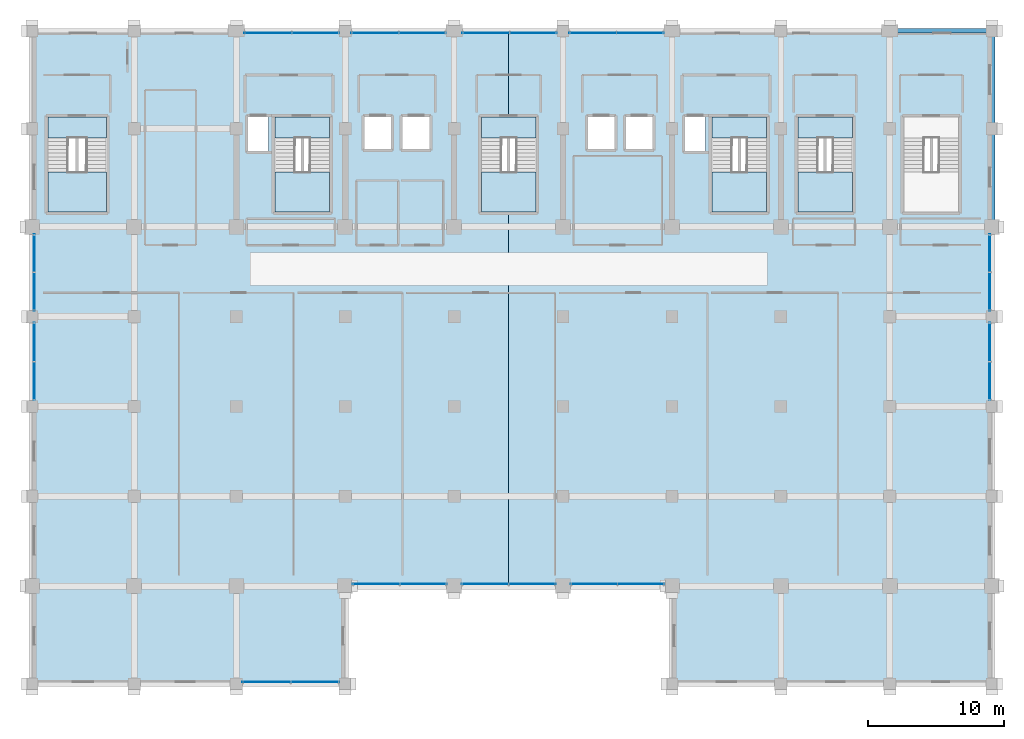
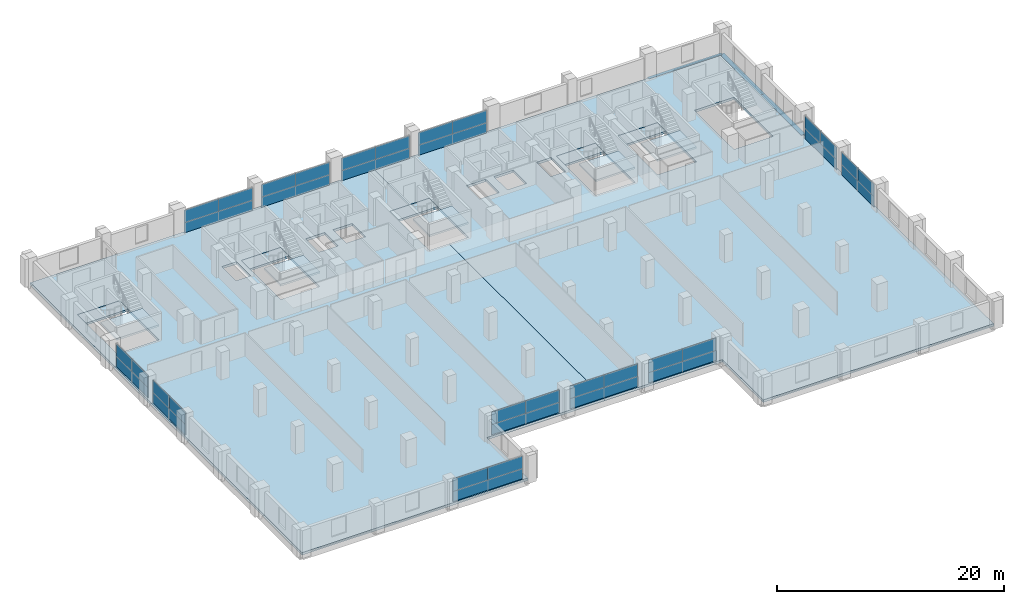
# One storey, part 15 of 21: 36 plates, 12 slabs, 3 beams, 17 elements without a shape of their own.
"""IFC4 building model written with IfcOpenShell, lengths in metres."""

from ifc_helpers import new_model, si_unit, direction, frame, origin, origin_2d, place, context, subcontext, project, spatial, polyline, rectangle, outline, extrude, material, layer, layer_set, material_profile, profile_set, type_object, element, aggregate, save


model = new_model("IFC4")

# Units and contexts
model_context = context("Model", 3, precision=1e-05, world=origin(), true_north=direction((0.0, 1.0)))
body_context = subcontext(model_context, "Body", "Model", "MODEL_VIEW")
ifc_project = project(units=[si_unit("LENGTHUNIT", "METRE"), si_unit("AREAUNIT", "SQUARE_METRE"), si_unit("VOLUMEUNIT", "CUBIC_METRE"), si_unit("PLANEANGLEUNIT", "RADIAN"), si_unit("MASSUNIT", "GRAM", prefix="KILO")], contexts=[model_context])

# Site, building, storey
site_placement = place(None, origin())
site = spatial("IfcSite", under=ifc_project, at=site_placement, CompositionType="ELEMENT")
building_placement = place(site_placement, origin())
building = spatial("IfcBuilding", under=site, at=building_placement, Name="Akrevak Sports Hall", CompositionType="ELEMENT")
storey_placement = place(building_placement, frame((0.0, 0.0, 27.550048828125)))
storey = spatial("IfcBuildingStorey", under=building, at=storey_placement, Name="L05", CompositionType="ELEMENT", Elevation=27.550048828125)

# Beams
ifc_material_1 = material(Name="Concrete C40/50", Category="concrete")
ifc_material_profile_1 = material_profile(ifc_material_1, rectangle(XDim=0.449951171875, YDim=0.699951171875, at=origin_2d()), Name="BM 450x700", Category="concrete")
ifc_profile_set_1 = profile_set([ifc_material_profile_1], Name="Concrete C40/50")
beam_type_1 = type_object("IfcBeamType", Name="STR-BM-RC450x700", PredefinedType="BEAM", material=ifc_profile_set_1)
beam_1_placement = place(storey_placement, frame((115.5, 55.199951171875, -0.35009765625), z_axis=(0.0, 1.0, 0.0), x_axis=(-1.0, 0.0, 0.0)))
element("IfcBeam", 1, at=beam_1_placement, inside=storey, type_object=beam_type_1, Name="Girder 16/I-J (L05)", PredefinedType="BEAM", context=body_context, shape_type="SweptSolid", body=[
    extrude(rectangle(XDim=0.449951171875, YDim=0.699951171875, at=origin_2d()), origin(), (0.0, 0.0, 1.0), 7.199951171875),
])
beam_2_placement = place(storey_placement, frame((115.5, 62.39990234375, -0.35009765625), z_axis=(0.0, 1.0, 0.0), x_axis=(-1.0, 0.0, 0.0)))
element("IfcBeam", 2, at=beam_2_placement, inside=storey, type_object=beam_type_1, Name="Girder 16/J-K (L05)", PredefinedType="BEAM", context=body_context, shape_type="SweptSolid", body=[
    extrude(rectangle(XDim=0.449951171875, YDim=0.699951171875, at=origin_2d()), origin(), (0.0, 0.0, 1.0), 7.2001953125),
])
ifc_material_profile_2 = material_profile(ifc_material_1, rectangle(XDim=0.320068359375, YDim=0.679931640625, at=origin_2d()), Name="SPD 320x680", Category="concrete")
ifc_profile_set_2 = profile_set([ifc_material_profile_2], Name="Concrete C40/50")
beam_type_2 = type_object("IfcBeamType", Name="STR-SPD-RC320x680", PredefinedType="SPANDREL", material=ifc_profile_set_2)
beam_3_placement = place(storey_placement, frame((108.0, 69.60009765625, -0.340087890625), z_axis=(1.0, 0.0, 0.0), x_axis=(0.0, 1.0, 0.0)))
element("IfcBeam", 3, at=beam_3_placement, inside=storey, type_object=beam_type_2, Name="Girder K/15-16 (L05)", PredefinedType="SPANDREL", context=body_context, shape_type="SweptSolid", body=[
    extrude(rectangle(XDim=0.320068359375, YDim=0.679931640625, at=origin_2d()), origin(), (0.0, 0.0, 1.0), 7.5),
])

# Curtain wall, plates
ifc_material_2 = material(Name="Anodized Bronze Aluminium & Low-E Glass", Category="aluminium")
curtain_wall_type = type_object("IfcCurtainWallType", Name="ARC-CW-TWR-68x30", PredefinedType="NOTDEFINED", material=ifc_material_2)
curtain_wall_1_placement = place(storey_placement, origin())
curtain_wall_1 = element("IfcCurtainWall", 4, at=curtain_wall_1_placement, inside=storey, type_object=curtain_wall_type, Name="Curtain Wall CW-L05-S03", PredefinedType="NOTDEFINED")
ifc_material_3 = material(Name="Double Low-E Tempered Glass", Category="glass")
ifc_layer_1 = layer(ifc_material_3, 0.031982421875, Name="Double Low-E Tempered Glass")
ifc_layer_set_1 = layer_set([ifc_layer_1], Name="Double Low-E Tempered Glass")
plate_type_1 = type_object("IfcPlateType", Name="ARC-CWP-GLZ-32", PredefinedType="CURTAIN_PANEL", material=ifc_layer_set_1)
plate_1_placement = place(storey_placement, frame((62.22509765625, 21.760009765625, 1.099853515625), z_axis=(0.0, 0.0, 1.0), x_axis=(1.0, 0.0, 0.0)))
plate_1 = element("IfcPlate", 5, at=plate_1_placement, type_object=plate_type_1, Name="Vision Glass Panel CW-L05-S03-G1", PredefinedType="CURTAIN_PANEL", context=body_context, shape_type="SweptSolid", body=[
    extrude(rectangle(XDim=3.550048828125, YDim=0.035888671875, at=origin_2d()), origin(), (0.0, 0.0, 1.0), 1.35009765625),
])
plate_2_placement = place(storey_placement, frame((65.77490234375, 21.760009765625, 1.099853515625), z_axis=(0.0, 0.0, 1.0), x_axis=(1.0, 0.0, 0.0)))
plate_2 = element("IfcPlate", 6, at=plate_2_placement, type_object=plate_type_1, Name="Vision Glass Panel CW-L05-S03-G2", PredefinedType="CURTAIN_PANEL", context=body_context, shape_type="SweptSolid", body=[
    extrude(rectangle(XDim=3.550048828125, YDim=0.035888671875, at=origin_2d()), origin(), (0.0, 0.0, 1.0), 1.35009765625),
])

curtain_wall_2_placement = place(storey_placement, origin())
curtain_wall_2 = element("IfcCurtainWall", 7, at=curtain_wall_2_placement, inside=storey, type_object=curtain_wall_type, Name="Curtain Wall CW-L05-S05", PredefinedType="NOTDEFINED")
plate_3_placement = place(storey_placement, frame((70.27490234375, 28.9599609375, 1.099853515625), z_axis=(0.0, 0.0, 1.0), x_axis=(1.0, 0.0, 0.0)))
plate_3 = element("IfcPlate", 8, at=plate_3_placement, type_object=plate_type_1, Name="Vision Glass Panel CW-L05-S05-G1", PredefinedType="CURTAIN_PANEL", context=body_context, shape_type="SweptSolid", body=[
    extrude(rectangle(XDim=3.449951171875, YDim=0.035888671875, at=origin_2d()), origin(), (0.0, 0.0, 1.0), 1.35009765625),
])
plate_4_placement = place(storey_placement, frame((73.72509765625, 28.9599609375, 1.099853515625), z_axis=(0.0, 0.0, 1.0), x_axis=(1.0, 0.0, 0.0)))
plate_4 = element("IfcPlate", 9, at=plate_4_placement, type_object=plate_type_1, Name="Vision Glass Panel CW-L05-S05-G2", PredefinedType="CURTAIN_PANEL", context=body_context, shape_type="SweptSolid", body=[
    extrude(rectangle(XDim=3.449951171875, YDim=0.035888671875, at=origin_2d()), origin(), (0.0, 0.0, 1.0), 1.35009765625),
])

curtain_wall_3_placement = place(storey_placement, origin())
curtain_wall_3 = element("IfcCurtainWall", 10, at=curtain_wall_3_placement, inside=storey, type_object=curtain_wall_type, Name="Curtain Wall CW-L05-S06", PredefinedType="NOTDEFINED")
plate_5_placement = place(storey_placement, frame((78.27490234375, 28.9599609375, 1.099853515625), z_axis=(0.0, 0.0, 1.0), x_axis=(1.0, 0.0, 0.0)))
plate_5 = element("IfcPlate", 11, at=plate_5_placement, type_object=plate_type_1, Name="Vision Glass Panel CW-L05-S06-G1", PredefinedType="CURTAIN_PANEL", context=body_context, shape_type="SweptSolid", body=[
    extrude(rectangle(XDim=3.449951171875, YDim=0.035888671875, at=origin_2d()), origin(), (0.0, 0.0, 1.0), 1.35009765625),
])
plate_6_placement = place(storey_placement, frame((81.72509765625, 28.9599609375, 1.099853515625), z_axis=(0.0, 0.0, 1.0), x_axis=(1.0, 0.0, 0.0)))
plate_6 = element("IfcPlate", 12, at=plate_6_placement, type_object=plate_type_1, Name="Vision Glass Panel CW-L05-S06-G2", PredefinedType="CURTAIN_PANEL", context=body_context, shape_type="SweptSolid", body=[
    extrude(rectangle(XDim=3.449951171875, YDim=0.035888671875, at=origin_2d()), origin(), (0.0, 0.0, 1.0), 1.35009765625),
])

curtain_wall_4_placement = place(storey_placement, origin())
curtain_wall_4 = element("IfcCurtainWall", 13, at=curtain_wall_4_placement, inside=storey, type_object=curtain_wall_type, Name="Curtain Wall CW-L05-S07", PredefinedType="NOTDEFINED")
plate_7_placement = place(storey_placement, frame((86.27490234375, 28.9599609375, 1.099853515625), z_axis=(0.0, 0.0, 1.0), x_axis=(1.0, 0.0, 0.0)))
plate_7 = element("IfcPlate", 14, at=plate_7_placement, type_object=plate_type_1, Name="Vision Glass Panel CW-L05-S07-G1", PredefinedType="CURTAIN_PANEL", context=body_context, shape_type="SweptSolid", body=[
    extrude(rectangle(XDim=3.449951171875, YDim=0.035888671875, at=origin_2d()), origin(), (0.0, 0.0, 1.0), 1.35009765625),
])
plate_8_placement = place(storey_placement, frame((89.72509765625, 28.9599609375, 1.099853515625), z_axis=(0.0, 0.0, 1.0), x_axis=(1.0, 0.0, 0.0)))
plate_8 = element("IfcPlate", 15, at=plate_8_placement, type_object=plate_type_1, Name="Vision Glass Panel CW-L05-S07-G2", PredefinedType="CURTAIN_PANEL", context=body_context, shape_type="SweptSolid", body=[
    extrude(rectangle(XDim=3.449951171875, YDim=0.035888671875, at=origin_2d()), origin(), (0.0, 0.0, 1.0), 1.35009765625),
])

curtain_wall_5_placement = place(storey_placement, origin())
curtain_wall_5 = element("IfcCurtainWall", 16, at=curtain_wall_5_placement, inside=storey, type_object=curtain_wall_type, Name="Curtain Wall CW-L05-E15", PredefinedType="NOTDEFINED")
plate_9_placement = place(storey_placement, frame((115.340087890625, 43.875, 1.099853515625), z_axis=(0.0, 0.0, 1.0), x_axis=(0.0, 1.0, 0.0)))
plate_9 = element("IfcPlate", 17, at=plate_9_placement, type_object=plate_type_1, Name="Vision Glass Panel CW-L05-E15-G1", PredefinedType="CURTAIN_PANEL", context=body_context, shape_type="SweptSolid", body=[
    extrude(rectangle(XDim=2.85009765625, YDim=0.035888671875, at=origin_2d()), origin(), (0.0, 0.0, 1.0), 1.35009765625),
])
plate_10_placement = place(storey_placement, frame((115.340087890625, 46.72509765625, 1.099853515625), z_axis=(0.0, 0.0, 1.0), x_axis=(0.0, 1.0, 0.0)))
plate_10 = element("IfcPlate", 18, at=plate_10_placement, type_object=plate_type_1, Name="Vision Glass Panel CW-L05-E15-G2", PredefinedType="CURTAIN_PANEL", context=body_context, shape_type="SweptSolid", body=[
    extrude(rectangle(XDim=2.85009765625, YDim=0.035888671875, at=origin_2d()), origin(), (0.0, 0.0, 1.0), 1.35009765625),
])

curtain_wall_6_placement = place(storey_placement, origin())
curtain_wall_6 = element("IfcCurtainWall", 19, at=curtain_wall_6_placement, inside=storey, type_object=curtain_wall_type, Name="Curtain Wall CW-L05-E16", PredefinedType="NOTDEFINED")
plate_11_placement = place(storey_placement, frame((115.340087890625, 50.449951171875, 1.099853515625), z_axis=(0.0, 0.0, 1.0), x_axis=(0.0, 1.0, 0.0)))
plate_11 = element("IfcPlate", 20, at=plate_11_placement, type_object=plate_type_1, Name="Vision Glass Panel CW-L05-E16-G1", PredefinedType="CURTAIN_PANEL", context=body_context, shape_type="SweptSolid", body=[
    extrude(rectangle(XDim=2.800048828125, YDim=0.035888671875, at=origin_2d()), origin(), (0.0, 0.0, 1.0), 1.35009765625),
])
plate_12_placement = place(storey_placement, frame((115.340087890625, 53.25, 1.099853515625), z_axis=(0.0, 0.0, 1.0), x_axis=(0.0, 1.0, 0.0)))
plate_12 = element("IfcPlate", 21, at=plate_12_placement, type_object=plate_type_1, Name="Vision Glass Panel CW-L05-E16-G2", PredefinedType="CURTAIN_PANEL", context=body_context, shape_type="SweptSolid", body=[
    extrude(rectangle(XDim=2.800048828125, YDim=0.035888671875, at=origin_2d()), origin(), (0.0, 0.0, 1.0), 1.35009765625),
])

curtain_wall_7_placement = place(storey_placement, origin())
curtain_wall_7 = element("IfcCurtainWall", 22, at=curtain_wall_7_placement, inside=storey, type_object=curtain_wall_type, Name="Curtain Wall CW-L05-N22", PredefinedType="NOTDEFINED")
plate_13_placement = place(storey_placement, frame((89.66259765625, 69.43994140625, 1.099853515625), z_axis=(0.0, 0.0, 1.0), x_axis=(-1.0, 0.0, 0.0)))
plate_13 = element("IfcPlate", 23, at=plate_13_placement, type_object=plate_type_1, Name="Vision Glass Panel CW-L05-N22-G1", PredefinedType="CURTAIN_PANEL", context=body_context, shape_type="SweptSolid", body=[
    extrude(rectangle(XDim=3.47509765625, YDim=0.035888671875, at=origin_2d()), origin(), (0.0, 0.0, 1.0), 1.35009765625),
])
plate_14_placement = place(storey_placement, frame((86.1875, 69.43994140625, 1.099853515625), z_axis=(0.0, 0.0, 1.0), x_axis=(-1.0, 0.0, 0.0)))
plate_14 = element("IfcPlate", 24, at=plate_14_placement, type_object=plate_type_1, Name="Vision Glass Panel CW-L05-N22-G2", PredefinedType="CURTAIN_PANEL", context=body_context, shape_type="SweptSolid", body=[
    extrude(rectangle(XDim=3.47509765625, YDim=0.035888671875, at=origin_2d()), origin(), (0.0, 0.0, 1.0), 1.35009765625),
])

curtain_wall_8_placement = place(storey_placement, origin())
curtain_wall_8 = element("IfcCurtainWall", 25, at=curtain_wall_8_placement, inside=storey, type_object=curtain_wall_type, Name="Curtain Wall CW-L05-N23", PredefinedType="NOTDEFINED")
plate_15_placement = place(storey_placement, frame((81.8125, 69.43994140625, 1.099853515625), z_axis=(0.0, 0.0, 1.0), x_axis=(-1.0, 0.0, 0.0)))
plate_15 = element("IfcPlate", 26, at=plate_15_placement, type_object=plate_type_1, Name="Vision Glass Panel CW-L05-N23-G1", PredefinedType="CURTAIN_PANEL", context=body_context, shape_type="SweptSolid", body=[
    extrude(rectangle(XDim=3.47509765625, YDim=0.035888671875, at=origin_2d()), origin(), (0.0, 0.0, 1.0), 1.35009765625),
])
plate_16_placement = place(storey_placement, frame((78.33740234375, 69.43994140625, 1.099853515625), z_axis=(0.0, 0.0, 1.0), x_axis=(-1.0, 0.0, 0.0)))
plate_16 = element("IfcPlate", 27, at=plate_16_placement, type_object=plate_type_1, Name="Vision Glass Panel CW-L05-N23-G2", PredefinedType="CURTAIN_PANEL", context=body_context, shape_type="SweptSolid", body=[
    extrude(rectangle(XDim=3.47509765625, YDim=0.035888671875, at=origin_2d()), origin(), (0.0, 0.0, 1.0), 1.35009765625),
])

curtain_wall_9_placement = place(storey_placement, origin())
curtain_wall_9 = element("IfcCurtainWall", 28, at=curtain_wall_9_placement, inside=storey, type_object=curtain_wall_type, Name="Curtain Wall CW-L05-N24", PredefinedType="NOTDEFINED")
plate_17_placement = place(storey_placement, frame((73.66259765625, 69.43994140625, 1.099853515625), z_axis=(0.0, 0.0, 1.0), x_axis=(-1.0, 0.0, 0.0)))
plate_17 = element("IfcPlate", 29, at=plate_17_placement, type_object=plate_type_1, Name="Vision Glass Panel CW-L05-N24-G1", PredefinedType="CURTAIN_PANEL", context=body_context, shape_type="SweptSolid", body=[
    extrude(rectangle(XDim=3.47509765625, YDim=0.035888671875, at=origin_2d()), origin(), (0.0, 0.0, 1.0), 1.35009765625),
])
plate_18_placement = place(storey_placement, frame((70.1875, 69.43994140625, 1.099853515625), z_axis=(0.0, 0.0, 1.0), x_axis=(-1.0, 0.0, 0.0)))
plate_18 = element("IfcPlate", 30, at=plate_18_placement, type_object=plate_type_1, Name="Vision Glass Panel CW-L05-N24-G2", PredefinedType="CURTAIN_PANEL", context=body_context, shape_type="SweptSolid", body=[
    extrude(rectangle(XDim=3.47509765625, YDim=0.035888671875, at=origin_2d()), origin(), (0.0, 0.0, 1.0), 1.35009765625),
])

curtain_wall_10_placement = place(storey_placement, origin())
curtain_wall_10 = element("IfcCurtainWall", 31, at=curtain_wall_10_placement, inside=storey, type_object=curtain_wall_type, Name="Curtain Wall CW-L05-N25", PredefinedType="NOTDEFINED")
plate_19_placement = place(storey_placement, frame((65.8125, 69.43994140625, 1.099853515625), z_axis=(0.0, 0.0, 1.0), x_axis=(-1.0, 0.0, 0.0)))
plate_19 = element("IfcPlate", 32, at=plate_19_placement, type_object=plate_type_1, Name="Vision Glass Panel CW-L05-N25-G1", PredefinedType="CURTAIN_PANEL", context=body_context, shape_type="SweptSolid", body=[
    extrude(rectangle(XDim=3.47509765625, YDim=0.035888671875, at=origin_2d()), origin(), (0.0, 0.0, 1.0), 1.35009765625),
])
plate_20_placement = place(storey_placement, frame((62.33740234375, 69.43994140625, 1.099853515625), z_axis=(0.0, 0.0, 1.0), x_axis=(-1.0, 0.0, 0.0)))
plate_20 = element("IfcPlate", 33, at=plate_20_placement, type_object=plate_type_1, Name="Vision Glass Panel CW-L05-N25-G2", PredefinedType="CURTAIN_PANEL", context=body_context, shape_type="SweptSolid", body=[
    extrude(rectangle(XDim=3.47509765625, YDim=0.035888671875, at=origin_2d()), origin(), (0.0, 0.0, 1.0), 1.35009765625),
])

curtain_wall_11_placement = place(storey_placement, origin())
curtain_wall_11 = element("IfcCurtainWall", 34, at=curtain_wall_11_placement, inside=storey, type_object=curtain_wall_type, Name="Curtain Wall CW-L05-W30", PredefinedType="NOTDEFINED")
plate_21_placement = place(storey_placement, frame((45.159912109375, 53.25, 1.099853515625), z_axis=(0.0, 0.0, 1.0), x_axis=(0.0, -1.0, 0.0)))
plate_21 = element("IfcPlate", 35, at=plate_21_placement, type_object=plate_type_1, Name="Vision Glass Panel CW-L05-W30-G1", PredefinedType="CURTAIN_PANEL", context=body_context, shape_type="SweptSolid", body=[
    extrude(rectangle(XDim=2.800048828125, YDim=0.035888671875, at=origin_2d()), origin(), (0.0, 0.0, 1.0), 1.35009765625),
])
plate_22_placement = place(storey_placement, frame((45.159912109375, 50.449951171875, 1.099853515625), z_axis=(0.0, 0.0, 1.0), x_axis=(0.0, -1.0, 0.0)))
plate_22 = element("IfcPlate", 36, at=plate_22_placement, type_object=plate_type_1, Name="Vision Glass Panel CW-L05-W30-G2", PredefinedType="CURTAIN_PANEL", context=body_context, shape_type="SweptSolid", body=[
    extrude(rectangle(XDim=2.800048828125, YDim=0.035888671875, at=origin_2d()), origin(), (0.0, 0.0, 1.0), 1.35009765625),
])

curtain_wall_12_placement = place(storey_placement, origin())
curtain_wall_12 = element("IfcCurtainWall", 37, at=curtain_wall_12_placement, inside=storey, type_object=curtain_wall_type, Name="Curtain Wall CW-L05-W31", PredefinedType="NOTDEFINED")
plate_23_placement = place(storey_placement, frame((45.159912109375, 46.72509765625, 1.099853515625), z_axis=(0.0, 0.0, 1.0), x_axis=(0.0, -1.0, 0.0)))
plate_23 = element("IfcPlate", 38, at=plate_23_placement, type_object=plate_type_1, Name="Vision Glass Panel CW-L05-W31-G1", PredefinedType="CURTAIN_PANEL", context=body_context, shape_type="SweptSolid", body=[
    extrude(rectangle(XDim=2.85009765625, YDim=0.035888671875, at=origin_2d()), origin(), (0.0, 0.0, 1.0), 1.35009765625),
])
plate_24_placement = place(storey_placement, frame((45.159912109375, 43.875, 1.099853515625), z_axis=(0.0, 0.0, 1.0), x_axis=(0.0, -1.0, 0.0)))
plate_24 = element("IfcPlate", 39, at=plate_24_placement, type_object=plate_type_1, Name="Vision Glass Panel CW-L05-W31-G2", PredefinedType="CURTAIN_PANEL", context=body_context, shape_type="SweptSolid", body=[
    extrude(rectangle(XDim=2.85009765625, YDim=0.035888671875, at=origin_2d()), origin(), (0.0, 0.0, 1.0), 1.35009765625),
])

# Plate
ifc_material_4 = material(Name="Insulated Bronze Spandrel Panel", Category="aluminium")
ifc_layer_2 = layer(ifc_material_4, 0.0400390625, Name="Insulated Bronze Spandrel Panel")
ifc_layer_set_2 = layer_set([ifc_layer_2], Name="Insulated Bronze Spandrel Panel")
plate_type_2 = type_object("IfcPlateType", Name="ARC-CWP-SPD-40", PredefinedType="CURTAIN_PANEL", material=ifc_layer_set_2)
plate_25_placement = place(storey_placement, frame((64.0, 21.760009765625, 0.0), z_axis=(0.0, 0.0, 1.0), x_axis=(1.0, 0.0, 0.0)))
plate_25 = element("IfcPlate", 40, at=plate_25_placement, type_object=plate_type_2, Name="Insulated Spandrel Panel CW-L05-S03-S1", PredefinedType="CURTAIN_PANEL", context=body_context, shape_type="SweptSolid", body=[
    extrude(rectangle(XDim=7.10009765625, YDim=0.0439453125, at=origin_2d()), origin(), (0.0, 0.0, 1.0), 1.10009765625),
])

aggregate(curtain_wall_1, [plate_1, plate_2, plate_25])

plate_26_placement = place(storey_placement, frame((72.0, 28.9599609375, 0.0), z_axis=(0.0, 0.0, 1.0), x_axis=(1.0, 0.0, 0.0)))
plate_26 = element("IfcPlate", 41, at=plate_26_placement, type_object=plate_type_2, Name="Insulated Spandrel Panel CW-L05-S05-S1", PredefinedType="CURTAIN_PANEL", context=body_context, shape_type="SweptSolid", body=[
    extrude(rectangle(XDim=6.89990234375, YDim=0.0439453125, at=origin_2d()), origin(), (0.0, 0.0, 1.0), 1.10009765625),
])

aggregate(curtain_wall_2, [plate_3, plate_4, plate_26])

plate_27_placement = place(storey_placement, frame((80.0, 28.9599609375, 0.0), z_axis=(0.0, 0.0, 1.0), x_axis=(1.0, 0.0, 0.0)))
plate_27 = element("IfcPlate", 42, at=plate_27_placement, type_object=plate_type_2, Name="Insulated Spandrel Panel CW-L05-S06-S1", PredefinedType="CURTAIN_PANEL", context=body_context, shape_type="SweptSolid", body=[
    extrude(rectangle(XDim=6.89990234375, YDim=0.0439453125, at=origin_2d()), origin(), (0.0, 0.0, 1.0), 1.10009765625),
])

aggregate(curtain_wall_3, [plate_5, plate_6, plate_27])

plate_28_placement = place(storey_placement, frame((88.0, 28.9599609375, 0.0), z_axis=(0.0, 0.0, 1.0), x_axis=(1.0, 0.0, 0.0)))
plate_28 = element("IfcPlate", 43, at=plate_28_placement, type_object=plate_type_2, Name="Insulated Spandrel Panel CW-L05-S07-S1", PredefinedType="CURTAIN_PANEL", context=body_context, shape_type="SweptSolid", body=[
    extrude(rectangle(XDim=6.89990234375, YDim=0.0439453125, at=origin_2d()), origin(), (0.0, 0.0, 1.0), 1.10009765625),
])

aggregate(curtain_wall_4, [plate_7, plate_8, plate_28])

plate_29_placement = place(storey_placement, frame((115.340087890625, 45.300048828125, 0.0), z_axis=(0.0, 0.0, 1.0), x_axis=(0.0, 1.0, 0.0)))
plate_29 = element("IfcPlate", 44, at=plate_29_placement, type_object=plate_type_2, Name="Insulated Spandrel Panel CW-L05-E15-S1", PredefinedType="CURTAIN_PANEL", context=body_context, shape_type="SweptSolid", body=[
    extrude(rectangle(XDim=5.699951171875, YDim=0.0439453125, at=origin_2d()), origin(), (0.0, 0.0, 1.0), 1.10009765625),
])

aggregate(curtain_wall_5, [plate_9, plate_10, plate_29])

plate_30_placement = place(storey_placement, frame((115.340087890625, 51.85009765625, 0.0), z_axis=(0.0, 0.0, 1.0), x_axis=(0.0, 1.0, 0.0)))
plate_30 = element("IfcPlate", 45, at=plate_30_placement, type_object=plate_type_2, Name="Insulated Spandrel Panel CW-L05-E16-S1", PredefinedType="CURTAIN_PANEL", context=body_context, shape_type="SweptSolid", body=[
    extrude(rectangle(XDim=5.60009765625, YDim=0.0439453125, at=origin_2d()), origin(), (0.0, 0.0, 1.0), 1.10009765625),
])

aggregate(curtain_wall_6, [plate_11, plate_12, plate_30])

plate_31_placement = place(storey_placement, frame((87.925048828125, 69.43994140625, 0.0), z_axis=(0.0, 0.0, 1.0), x_axis=(-1.0, 0.0, 0.0)))
plate_31 = element("IfcPlate", 46, at=plate_31_placement, type_object=plate_type_2, Name="Insulated Spandrel Panel CW-L05-N22-S1", PredefinedType="CURTAIN_PANEL", context=body_context, shape_type="SweptSolid", body=[
    extrude(rectangle(XDim=6.949951171875, YDim=0.0439453125, at=origin_2d()), origin(), (0.0, 0.0, 1.0), 1.10009765625),
])

aggregate(curtain_wall_7, [plate_13, plate_14, plate_31])

plate_32_placement = place(storey_placement, frame((80.074951171875, 69.43994140625, 0.0), z_axis=(0.0, 0.0, 1.0), x_axis=(-1.0, 0.0, 0.0)))
plate_32 = element("IfcPlate", 47, at=plate_32_placement, type_object=plate_type_2, Name="Insulated Spandrel Panel CW-L05-N23-S1", PredefinedType="CURTAIN_PANEL", context=body_context, shape_type="SweptSolid", body=[
    extrude(rectangle(XDim=6.949951171875, YDim=0.0439453125, at=origin_2d()), origin(), (0.0, 0.0, 1.0), 1.10009765625),
])

aggregate(curtain_wall_8, [plate_15, plate_16, plate_32])

plate_33_placement = place(storey_placement, frame((71.925048828125, 69.43994140625, 0.0), z_axis=(0.0, 0.0, 1.0), x_axis=(-1.0, 0.0, 0.0)))
plate_33 = element("IfcPlate", 48, at=plate_33_placement, type_object=plate_type_2, Name="Insulated Spandrel Panel CW-L05-N24-S1", PredefinedType="CURTAIN_PANEL", context=body_context, shape_type="SweptSolid", body=[
    extrude(rectangle(XDim=6.949951171875, YDim=0.0439453125, at=origin_2d()), origin(), (0.0, 0.0, 1.0), 1.10009765625),
])

aggregate(curtain_wall_9, [plate_17, plate_18, plate_33])

plate_34_placement = place(storey_placement, frame((64.074951171875, 69.43994140625, 0.0), z_axis=(0.0, 0.0, 1.0), x_axis=(-1.0, 0.0, 0.0)))
plate_34 = element("IfcPlate", 49, at=plate_34_placement, type_object=plate_type_2, Name="Insulated Spandrel Panel CW-L05-N25-S1", PredefinedType="CURTAIN_PANEL", context=body_context, shape_type="SweptSolid", body=[
    extrude(rectangle(XDim=6.949951171875, YDim=0.0439453125, at=origin_2d()), origin(), (0.0, 0.0, 1.0), 1.10009765625),
])

aggregate(curtain_wall_10, [plate_19, plate_20, plate_34])

plate_35_placement = place(storey_placement, frame((45.159912109375, 51.85009765625, 0.0), z_axis=(0.0, 0.0, 1.0), x_axis=(0.0, -1.0, 0.0)))
plate_35 = element("IfcPlate", 50, at=plate_35_placement, type_object=plate_type_2, Name="Insulated Spandrel Panel CW-L05-W30-S1", PredefinedType="CURTAIN_PANEL", context=body_context, shape_type="SweptSolid", body=[
    extrude(rectangle(XDim=5.60009765625, YDim=0.0439453125, at=origin_2d()), origin(), (0.0, 0.0, 1.0), 1.10009765625),
])

aggregate(curtain_wall_11, [plate_21, plate_22, plate_35])

plate_36_placement = place(storey_placement, frame((45.159912109375, 45.300048828125, 0.0), z_axis=(0.0, 0.0, 1.0), x_axis=(0.0, -1.0, 0.0)))
plate_36 = element("IfcPlate", 51, at=plate_36_placement, type_object=plate_type_2, Name="Insulated Spandrel Panel CW-L05-W31-S1", PredefinedType="CURTAIN_PANEL", context=body_context, shape_type="SweptSolid", body=[
    extrude(rectangle(XDim=5.699951171875, YDim=0.0439453125, at=origin_2d()), origin(), (0.0, 0.0, 1.0), 1.10009765625),
])

aggregate(curtain_wall_12, [plate_23, plate_24, plate_36])

# Slabs
ifc_layer_3 = layer(ifc_material_1, 0.260009765625, Name="Concrete C40/50")
ifc_layer_set_3 = layer_set([ifc_layer_3], Name="Concrete C40/50")
slab_type_1 = type_object("IfcSlabType", Name="STR-SLB-FLR-260", PredefinedType="FLOOR", material=ifc_layer_set_3)
slab_1_placement = place(storey_placement, frame((0.0, 0.0, -0.260009765625)))
element("IfcSlab", 52, at=slab_1_placement, inside=storey, type_object=slab_type_1, Name="Structural Floor Slab L05-1.1", PredefinedType="FLOOR", context=body_context, shape_type="SweptSolid", body=[
    extrude(outline(polyline([(45.0, 69.60009765625), (45.0, 21.60009765625), (68.0, 21.60009765625), (68.0, 28.800048828125), (80.0, 28.800048828125), (80.0, 56.300048828125), (78.0, 56.300048828125), (78.0, 63.25), (80.0, 63.25), (80.0, 69.60009765625), (45.0, 69.60009765625)]), holes=[polyline([(46.14990234375, 63.25), (50.449951171875, 63.25), (50.449951171875, 56.300048828125), (46.14990234375, 56.300048828125), (46.14990234375, 63.25)]), polyline([(66.85009765625, 63.25), (66.85009765625, 56.300048828125), (62.85009765625, 56.300048828125), (62.85009765625, 63.25), (66.85009765625, 63.25)]), polyline([(60.8701171875, 63.280029296875), (62.3798828125, 63.280029296875), (62.3798828125, 60.77001953125), (60.8701171875, 60.77001953125), (60.8701171875, 63.280029296875)]), polyline([(71.3798828125, 63.280029296875), (71.3798828125, 60.919921875), (69.419921875, 60.919921875), (69.419921875, 63.280029296875), (71.3798828125, 63.280029296875)]), polyline([(74.179931640625, 63.280029296875), (74.179931640625, 60.919921875), (72.219970703125, 60.919921875), (72.219970703125, 63.280029296875), (74.179931640625, 63.280029296875)])]), origin(), (0.0, 0.0, 1.0), 0.260009765625),
])
slab_2_placement = place(storey_placement, frame((0.0, 0.0, -0.260009765625)))
element("IfcSlab", 53, at=slab_2_placement, inside=storey, type_object=slab_type_1, Name="Structural Floor Slab L05-2.1", PredefinedType="FLOOR", context=body_context, shape_type="SweptSolid", body=[
    extrude(outline(polyline([(80.0, 69.60009765625), (80.0, 63.25), (82.0, 63.25), (82.0, 56.300048828125), (80.0, 56.300048828125), (80.0, 28.800048828125), (92.0, 28.800048828125), (92.0, 21.60009765625), (115.5, 21.60009765625), (115.5, 69.60009765625), (80.0, 69.60009765625)]), holes=[polyline([(94.949951171875, 63.25), (98.949951171875, 63.25), (98.949951171875, 56.300048828125), (94.949951171875, 56.300048828125), (94.949951171875, 63.25)]), polyline([(105.25, 63.25), (105.25, 56.300048828125), (101.25, 56.300048828125), (101.25, 63.25), (105.25, 63.25)]), polyline([(113.050048828125, 63.25), (113.050048828125, 56.300048828125), (109.050048828125, 56.300048828125), (109.050048828125, 63.25), (113.050048828125, 63.25)]), polyline([(92.969970703125, 63.280029296875), (94.47998046875, 63.280029296875), (94.47998046875, 60.77001953125), (92.969970703125, 60.77001953125), (92.969970703125, 63.280029296875)]), polyline([(87.780029296875, 63.280029296875), (87.780029296875, 60.919921875), (85.820068359375, 60.919921875), (85.820068359375, 63.280029296875), (87.780029296875, 63.280029296875)]), polyline([(90.580078125, 63.280029296875), (90.580078125, 60.919921875), (88.6201171875, 60.919921875), (88.6201171875, 63.280029296875), (90.580078125, 63.280029296875)])]), origin(), (0.0, 0.0, 1.0), 0.260009765625),
])

# Stair, slab
stair_type_1 = type_object("IfcStairType", Name="ARC-STR-DOG-325", PredefinedType="HALF_TURN_STAIR", material=ifc_material_1)
stair_1_placement = place(storey_placement, origin())
stair_1 = element("IfcStair", 54, at=stair_1_placement, inside=storey, type_object=stair_type_1, Name="Protected Exit Stair ST1 (L05 to L06)", PredefinedType="HALF_TURN_STAIR")
ifc_layer_4 = layer(ifc_material_1, 0.199951171875, Name="Concrete C40/50")
ifc_layer_set_4 = layer_set([ifc_layer_4], Name="Concrete C40/50")
slab_type_2 = type_object("IfcSlabType", Name="STR-SLB-LAND-200", PredefinedType="LANDING", material=ifc_layer_set_4)
slab_3_placement = place(storey_placement, frame((0.0, 0.0, 1.425048828125)))
slab_3 = element("IfcSlab", 55, at=slab_3_placement, type_object=slab_type_2, Name="Stair ST1 Half-Landing 1 (L05)", PredefinedType="LANDING", context=body_context, shape_type="SweptSolid", body=[
    extrude(outline(polyline([(62.85009765625, 56.300048828125), (66.85009765625, 56.300048828125), (66.85009765625, 59.215087890625), (62.85009765625, 59.215087890625), (62.85009765625, 56.300048828125)])), origin(), (0.0, 0.0, 1.0), 0.199951171875),
])
aggregate(stair_1, [slab_3])

stair_2_placement = place(storey_placement, origin())
stair_2 = element("IfcStair", 56, at=stair_2_placement, inside=storey, type_object=stair_type_1, Name="Protected Exit Stair ST2 (L05 to L06)", PredefinedType="HALF_TURN_STAIR")
slab_4_placement = place(storey_placement, frame((0.0, 0.0, 1.425048828125)))
slab_4 = element("IfcSlab", 57, at=slab_4_placement, type_object=slab_type_2, Name="Stair ST2 Half-Landing 1 (L05)", PredefinedType="LANDING", context=body_context, shape_type="SweptSolid", body=[
    extrude(outline(polyline([(94.949951171875, 56.300048828125), (98.949951171875, 56.300048828125), (98.949951171875, 59.215087890625), (94.949951171875, 59.215087890625), (94.949951171875, 56.300048828125)])), origin(), (0.0, 0.0, 1.0), 0.199951171875),
])
aggregate(stair_2, [slab_4])

stair_3_placement = place(storey_placement, origin())
stair_3 = element("IfcStair", 58, at=stair_3_placement, inside=storey, type_object=stair_type_1, Name="Protected Exit Stair ST3 (L05 to L06)", PredefinedType="HALF_TURN_STAIR")
slab_5_placement = place(storey_placement, frame((0.0, 0.0, 1.425048828125)))
slab_5 = element("IfcSlab", 59, at=slab_5_placement, type_object=slab_type_2, Name="Stair ST3 Half-Landing 1 (L05)", PredefinedType="LANDING", context=body_context, shape_type="SweptSolid", body=[
    extrude(outline(polyline([(78.0, 56.300048828125), (82.0, 56.300048828125), (82.0, 59.215087890625), (78.0, 59.215087890625), (78.0, 56.300048828125)])), origin(), (0.0, 0.0, 1.0), 0.199951171875),
])
aggregate(stair_3, [slab_5])

stair_type_2 = type_object("IfcStairType", Name="ARC-STR-MDOG-325", PredefinedType="HALF_TURN_STAIR", material=ifc_material_1)
stair_4_placement = place(storey_placement, origin())
stair_4 = element("IfcStair", 60, at=stair_4_placement, inside=storey, type_object=stair_type_2, Name="Protected Exit Stair ST4 (L05 to L06)", PredefinedType="HALF_TURN_STAIR")
slab_6_placement = place(storey_placement, frame((0.0, 0.0, 1.425048828125)))
slab_6 = element("IfcSlab", 61, at=slab_6_placement, type_object=slab_type_2, Name="Stair ST4 Half-Landing 1 (L05)", PredefinedType="LANDING", context=body_context, shape_type="SweptSolid", body=[
    extrude(outline(polyline([(46.14990234375, 56.300048828125), (50.449951171875, 56.300048828125), (50.449951171875, 59.215087890625), (46.14990234375, 59.215087890625), (46.14990234375, 56.300048828125)])), origin(), (0.0, 0.0, 1.0), 0.199951171875),
])
aggregate(stair_4, [slab_6])

stair_5_placement = place(storey_placement, origin())
stair_5 = element("IfcStair", 62, at=stair_5_placement, inside=storey, type_object=stair_type_1, Name="East Wing Exit Stair ST10 (L05 to L06)", PredefinedType="HALF_TURN_STAIR")
slab_7_placement = place(storey_placement, frame((0.0, 0.0, 1.425048828125)))
slab_7 = element("IfcSlab", 63, at=slab_7_placement, type_object=slab_type_2, Name="Stair ST10 Half-Landing 1 (L05)", PredefinedType="LANDING", context=body_context, shape_type="SweptSolid", body=[
    extrude(outline(polyline([(101.25, 56.300048828125), (105.25, 56.300048828125), (105.25, 59.215087890625), (101.25, 59.215087890625), (101.25, 56.300048828125)])), origin(), (0.0, 0.0, 1.0), 0.199951171875),
])
aggregate(stair_5, [slab_7])

# Slabs
ifc_layer_5 = layer(ifc_material_1, 0.219970703125, Name="Concrete C40/50")
ifc_layer_set_5 = layer_set([ifc_layer_5], Name="Concrete C40/50")
slab_type_3 = type_object("IfcSlabType", Name="STR-SLB-LAND-220", PredefinedType="LANDING", material=ifc_layer_set_5)
slab_8_placement = place(storey_placement, frame((0.0, 0.0, -0.219970703125)))
element("IfcSlab", 64, at=slab_8_placement, inside=storey, type_object=slab_type_3, Name="Stair ST1 Floor Landing (L05)", PredefinedType="LANDING", context=body_context, shape_type="SweptSolid", body=[
    extrude(outline(polyline([(62.85009765625, 61.735107421875), (66.85009765625, 61.735107421875), (66.85009765625, 63.25), (62.85009765625, 63.25), (62.85009765625, 61.735107421875)])), origin(), (0.0, 0.0, 1.0), 0.219970703125),
])
slab_9_placement = place(storey_placement, frame((0.0, 0.0, -0.219970703125)))
element("IfcSlab", 65, at=slab_9_placement, inside=storey, type_object=slab_type_3, Name="Stair ST2 Floor Landing (L05)", PredefinedType="LANDING", context=body_context, shape_type="SweptSolid", body=[
    extrude(outline(polyline([(94.949951171875, 61.735107421875), (98.949951171875, 61.735107421875), (98.949951171875, 63.25), (94.949951171875, 63.25), (94.949951171875, 61.735107421875)])), origin(), (0.0, 0.0, 1.0), 0.219970703125),
])
slab_10_placement = place(storey_placement, frame((0.0, 0.0, -0.219970703125)))
element("IfcSlab", 66, at=slab_10_placement, inside=storey, type_object=slab_type_3, Name="Stair ST3 Floor Landing (L05)", PredefinedType="LANDING", context=body_context, shape_type="SweptSolid", body=[
    extrude(outline(polyline([(78.0, 61.735107421875), (82.0, 61.735107421875), (82.0, 63.25), (78.0, 63.25), (78.0, 61.735107421875)])), origin(), (0.0, 0.0, 1.0), 0.219970703125),
])
slab_11_placement = place(storey_placement, frame((0.0, 0.0, -0.219970703125)))
element("IfcSlab", 67, at=slab_11_placement, inside=storey, type_object=slab_type_3, Name="Stair ST4 Floor Landing (L05)", PredefinedType="LANDING", context=body_context, shape_type="SweptSolid", body=[
    extrude(outline(polyline([(46.14990234375, 61.735107421875), (50.449951171875, 61.735107421875), (50.449951171875, 63.25), (46.14990234375, 63.25), (46.14990234375, 61.735107421875)])), origin(), (0.0, 0.0, 1.0), 0.219970703125),
])
slab_12_placement = place(storey_placement, frame((0.0, 0.0, -0.219970703125)))
element("IfcSlab", 68, at=slab_12_placement, inside=storey, type_object=slab_type_3, Name="Stair ST10 Floor Landing (L05)", PredefinedType="LANDING", context=body_context, shape_type="SweptSolid", body=[
    extrude(outline(polyline([(101.25, 61.735107421875), (105.25, 61.735107421875), (105.25, 63.25), (101.25, 63.25), (101.25, 61.735107421875)])), origin(), (0.0, 0.0, 1.0), 0.219970703125),
])

save(model, "model.ifc")
